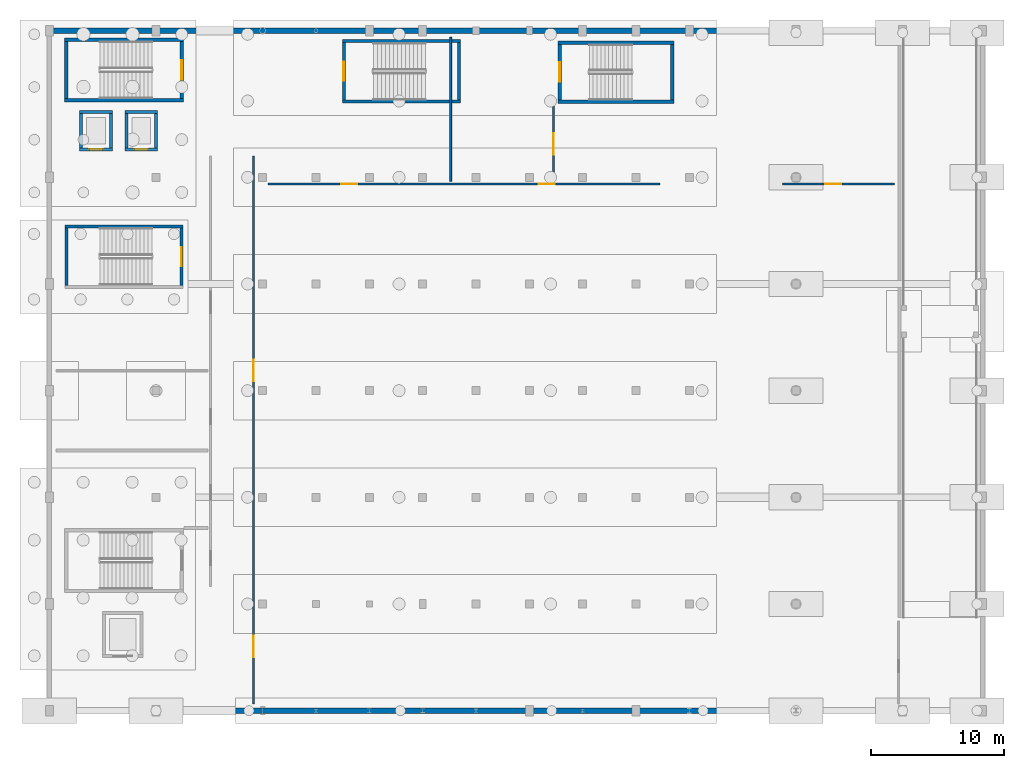
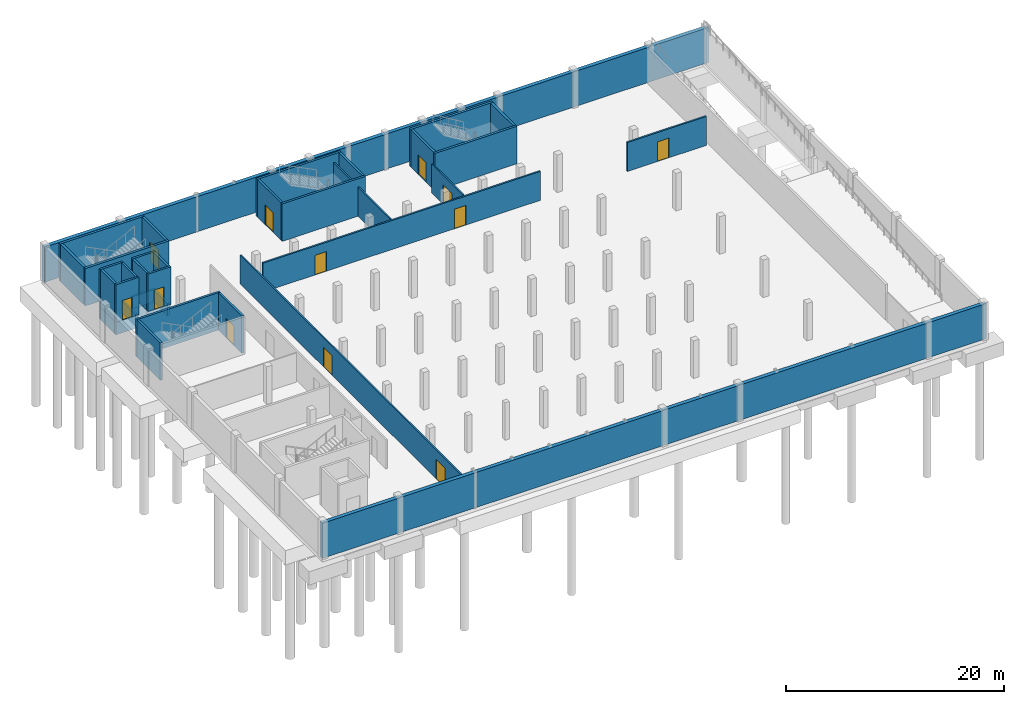
# One storey, part 8 of 15: 38 walls, 12 doors, 12 openings.
"""IFC4 building model written with IfcOpenShell, lengths in metres."""

from ifc_helpers import new_model, si_unit, derived_unit, direction, frame, frame_2d, origin, place, context, subcontext, project, spatial, rectangle, extrude, material, layer, layer_set, type_object, element, fill, save


model = new_model("IFC4")

# Units and contexts
model_context = context("Model", 3, precision=1e-05, world=origin(), true_north=direction((0.0, 1.0)))
body_context = subcontext(model_context, "Body", "Model", "MODEL_VIEW")
ifc_project = project(units=[si_unit("LENGTHUNIT", "METRE"), si_unit("AREAUNIT", "SQUARE_METRE"), si_unit("VOLUMEUNIT", "CUBIC_METRE"), si_unit("PLANEANGLEUNIT", "RADIAN"), si_unit("MASSUNIT", "GRAM", prefix="KILO"), derived_unit("THERMALTRANSMITTANCEUNIT", [(si_unit("POWERUNIT", "WATT"), 1), (si_unit("LENGTHUNIT", "METRE"), -2), (si_unit("THERMODYNAMICTEMPERATUREUNIT", "KELVIN"), -1)])], contexts=[model_context])

# Site, building, storey
site_placement = place(None, origin())
site = spatial("IfcSite", under=ifc_project, at=site_placement, CompositionType="ELEMENT")
building_placement = place(site_placement, origin())
building = spatial("IfcBuilding", under=site, at=building_placement, Name="Keldorne Ridge Multi-Sports Centre", CompositionType="ELEMENT")
storey_placement = place(building_placement, frame((0.0, 0.0, -4.199951171875)))
storey = spatial("IfcBuildingStorey", under=building, at=storey_placement, Name="B01", CompositionType="ELEMENT", Elevation=-4.199951171875)

# Wall, openings, doors
ifc_material_1 = material(Name="Fire-rated twin stud plasterboard")
ifc_layer_1 = layer(ifc_material_1, 0.14990234375)
ifc_layer_set_1 = layer_set([ifc_layer_1])
wall_type_1 = type_object("IfcWallType", Name="WAL-PT-02", PredefinedType="PARTITIONING", material=ifc_layer_set_1)
wall_1_placement = place(storey_placement, frame((119.300048828125, 66.5, 0.0), z_axis=(0.0, 0.0, 1.0), x_axis=(0.0, 1.0, 0.0)))
wall_1 = element("IfcWall", 1, at=wall_1_placement, inside=storey, type_object=wall_type_1, Name="Basement commuter-parking fire wall IW-B01-001", PredefinedType="PARTITIONING", context=body_context, shape_type="SweptSolid", body=[
    extrude(rectangle(XDim=41.10009765625, YDim=0.14990234375, at=frame_2d((20.550048828125, 0.0))), origin(), (0.0, 0.0, 1.0), 3.25),
])
opening_1_placement = place(wall_1_placement, frame((3.5, 0.0, 0.0)))
opening_1 = element("IfcOpeningElement", 2, at=opening_1_placement, cuts=wall_1, Name="Opening D-04", PredefinedType="OPENING", context=body_context, shape_type="SweptSolid", body=[
    extrude(rectangle(XDim=1.60009765625, YDim=2.199951171875, at=frame_2d((0.800048828125, 1.10009765625))), frame((0.0, 0.0849609375, 0.0), z_axis=(0.0, -1.0, 0.0), x_axis=(1.0, 0.0, 0.0)), (0.0, 0.0, 1.0), 0.169921875),
])
opening_2_placement = place(wall_1_placement, frame((24.199951171875, 0.0, 0.0)))
opening_2 = element("IfcOpeningElement", 3, at=opening_2_placement, cuts=wall_1, Name="Opening D-04", PredefinedType="OPENING", context=body_context, shape_type="SweptSolid", body=[
    extrude(rectangle(XDim=1.60009765625, YDim=2.199951171875, at=frame_2d((0.800048828125, 1.10009765625))), frame((0.0, 0.0849609375, 0.0), z_axis=(0.0, -1.0, 0.0), x_axis=(1.0, 0.0, 0.0)), (0.0, 0.0, 1.0), 0.169921875),
])
ifc_material_2 = material(Name="Timber fire-resisting pair", Category="wood")
door_type_1 = type_object("IfcDoorType", Name="DR-D-04", OperationType="NOTDEFINED", PredefinedType="DOOR", material=ifc_material_2)
door_1_placement = place(opening_1_placement, origin())
door_1 = element("IfcDoor", 4, at=door_1_placement, inside=storey, type_object=door_type_1, Name="Core C2 car park lobby fire door D-051", OperationType="DOUBLE_DOOR_SINGLE_SWING", OverallHeight=2.199951171875, OverallWidth=1.60009765625, PredefinedType="DOOR", context=body_context, shape_type="SweptSolid", body=[
    extrude(rectangle(XDim=1.60009765625, YDim=2.199951171875, at=frame_2d((0.800048828125, 1.10009765625))), frame((0.0, 0.02490234375, 0.0), z_axis=(0.0, -1.0, 0.0), x_axis=(1.0, 0.0, 0.0)), (0.0, 0.0, 1.0), 0.050048828125),
])
fill(opening_1, door_1)
door_2_placement = place(opening_2_placement, origin())
door_2 = element("IfcDoor", 5, at=door_2_placement, inside=storey, type_object=door_type_1, Name="Commuter corridor car park fire door D-052", OperationType="DOUBLE_DOOR_SINGLE_SWING", OverallHeight=2.199951171875, OverallWidth=1.60009765625, PredefinedType="DOOR", context=body_context, shape_type="SweptSolid", body=[
    extrude(rectangle(XDim=1.60009765625, YDim=2.199951171875, at=frame_2d((0.800048828125, 1.10009765625))), frame((0.0, 0.02490234375, 0.0), z_axis=(0.0, -1.0, 0.0), x_axis=(1.0, 0.0, 0.0)), (0.0, 0.0, 1.0), 0.050048828125),
])
fill(opening_2, door_2)

# Wall
wall_2_placement = place(storey_placement, frame((134.10009765625, 105.699951171875, 0.0), z_axis=(0.0, 0.0, 1.0), x_axis=(0.0, 1.0, 0.0)))
element("IfcWall", 6, at=wall_2_placement, inside=storey, type_object=wall_type_1, Name="Substation divider IW-B01-008", PredefinedType="PARTITIONING", context=body_context, shape_type="SweptSolid", body=[
    extrude(rectangle(XDim=10.800048828125, YDim=0.14990234375, at=frame_2d((5.39990234375, 0.0))), origin(), (0.0, 0.0, 1.0), 3.25),
])

# Wall, opening, door
wall_3_placement = place(storey_placement, frame((141.800048828125, 105.699951171875, 0.0), z_axis=(0.0, 0.0, 1.0), x_axis=(0.0, 1.0, 0.0)))
wall_3 = element("IfcWall", 7, at=wall_3_placement, inside=storey, type_object=wall_type_1, Name="Core C3 fire lobby west wall IW-B01-009", PredefinedType="PARTITIONING", context=body_context, shape_type="SweptSolid", body=[
    extrude(rectangle(XDim=5.699951171875, YDim=0.14990234375, at=frame_2d((2.85009765625, 0.0))), origin(), (0.0, 0.0, 1.0), 3.25),
])
opening_3_placement = place(wall_3_placement, frame((2.0, 0.0, 0.0)))
opening_3 = element("IfcOpeningElement", 8, at=opening_3_placement, cuts=wall_3, Name="Opening D-04", PredefinedType="OPENING", context=body_context, shape_type="SweptSolid", body=[
    extrude(rectangle(XDim=1.60009765625, YDim=2.199951171875, at=frame_2d((0.800048828125, 1.10009765625))), frame((0.0, 0.0849609375, 0.0), z_axis=(0.0, -1.0, 0.0), x_axis=(1.0, 0.0, 0.0)), (0.0, 0.0, 1.0), 0.169921875),
])
door_3_placement = place(opening_3_placement, origin())
door_3 = element("IfcDoor", 9, at=door_3_placement, inside=storey, type_object=door_type_1, Name="Core C3 fire lobby door D-060", OperationType="DOUBLE_DOOR_SINGLE_SWING", OverallHeight=2.199951171875, OverallWidth=1.60009765625, PredefinedType="DOOR", context=body_context, shape_type="SweptSolid", body=[
    extrude(rectangle(XDim=1.60009765625, YDim=2.199951171875, at=frame_2d((0.800048828125, 1.10009765625))), frame((0.0, 0.02490234375, 0.0), z_axis=(0.0, -1.0, 0.0), x_axis=(1.0, 0.0, 0.0)), (0.0, 0.0, 1.0), 0.050048828125),
])
fill(opening_3, door_3)

# Wall, openings, doors
ifc_material_3 = material(Name="Concrete blockwork C25/30", Category="masonry")
ifc_layer_2 = layer(ifc_material_3, 0.179931640625)
ifc_layer_set_2 = layer_set([ifc_layer_2])
wall_type_2 = type_object("IfcWallType", Name="WAL-PT-05", PredefinedType="PARTITIONING", material=ifc_layer_set_2)
wall_4_placement = place(storey_placement, frame((120.39990234375, 105.5, 0.0), z_axis=(0.0, 0.0, 1.0), x_axis=(1.0, 0.0, 0.0)))
wall_4 = element("IfcWall", 10, at=wall_4_placement, inside=storey, type_object=wall_type_2, Name="Basement north plant compartment wall IW-B01-006", PredefinedType="PARTITIONING", context=body_context, shape_type="SweptSolid", body=[
    extrude(rectangle(XDim=29.400146484375, YDim=0.179931640625, at=frame_2d((14.7001953125, 0.0))), origin(), (0.0, 0.0, 1.0), 3.25),
])
opening_4_placement = place(wall_4_placement, frame((5.5, 0.0, 0.0)))
opening_4 = element("IfcOpeningElement", 11, at=opening_4_placement, cuts=wall_4, Name="Opening D-07", PredefinedType="OPENING", context=body_context, shape_type="SweptSolid", body=[
    extrude(rectangle(XDim=1.199951171875, YDim=2.199951171875, at=frame_2d((0.60009765625, 1.10009765625))), frame((0.0, 0.10009765625, 0.0), z_axis=(0.0, -1.0, 0.0), x_axis=(1.0, 0.0, 0.0)), (0.0, 0.0, 1.0), 0.199951171875),
])
opening_5_placement = place(wall_4_placement, frame((20.300048828125, 0.0, 0.0)))
opening_5 = element("IfcOpeningElement", 12, at=opening_5_placement, cuts=wall_4, Name="Opening D-07", PredefinedType="OPENING", context=body_context, shape_type="SweptSolid", body=[
    extrude(rectangle(XDim=1.199951171875, YDim=2.199951171875, at=frame_2d((0.60009765625, 1.10009765625))), frame((0.0, 0.10009765625, 0.0), z_axis=(0.0, -1.0, 0.0), x_axis=(1.0, 0.0, 0.0)), (0.0, 0.0, 1.0), 0.199951171875),
])
ifc_material_4 = material(Name="Galvanized steel", Category="steel")
door_type_2 = type_object("IfcDoorType", Name="DR-D-07", OperationType="NOTDEFINED", PredefinedType="DOOR", material=ifc_material_4)
door_4_placement = place(opening_4_placement, origin())
door_4 = element("IfcDoor", 13, at=door_4_placement, inside=storey, type_object=door_type_2, Name="HVAC heat pump plant fire door D-057", OperationType="SINGLE_SWING_LEFT", OverallHeight=2.199951171875, OverallWidth=1.199951171875, PredefinedType="DOOR", context=body_context, shape_type="SweptSolid", body=[
    extrude(rectangle(XDim=1.199951171875, YDim=2.199951171875, at=frame_2d((0.60009765625, 1.10009765625))), frame((0.0, 0.02490234375, 0.0), z_axis=(0.0, -1.0, 0.0), x_axis=(1.0, 0.0, 0.0)), (0.0, 0.0, 1.0), 0.050048828125),
])
fill(opening_4, door_4)
door_5_placement = place(opening_5_placement, origin())
door_5 = element("IfcDoor", 14, at=door_5_placement, inside=storey, type_object=door_type_2, Name="Substation plant fire door D-058", OperationType="SINGLE_SWING_RIGHT", OverallHeight=2.199951171875, OverallWidth=1.199951171875, PredefinedType="DOOR", context=body_context, shape_type="SweptSolid", body=[
    extrude(rectangle(XDim=1.199951171875, YDim=2.199951171875, at=frame_2d((0.60009765625, 1.10009765625))), frame((0.0, 0.02490234375, 0.0), z_axis=(0.0, -1.0, 0.0), x_axis=(1.0, 0.0, 0.0)), (0.0, 0.0, 1.0), 0.050048828125),
])
fill(opening_5, door_5)

# Wall, opening, door
wall_5_placement = place(storey_placement, frame((159.0, 105.5, 0.0), z_axis=(0.0, 0.0, 1.0), x_axis=(1.0, 0.0, 0.0)))
wall_5 = element("IfcWall", 15, at=wall_5_placement, inside=storey, type_object=wall_type_2, Name="Basement cistern wall IW-B01-007", PredefinedType="PARTITIONING", context=body_context, shape_type="SweptSolid", body=[
    extrude(rectangle(XDim=8.39990234375, YDim=0.179931640625, at=frame_2d((4.199951171875, 0.0))), origin(), (0.0, 0.0, 1.0), 3.25),
])
opening_6_placement = place(wall_5_placement, frame((3.199951171875, 0.0, 0.0)))
opening_6 = element("IfcOpeningElement", 16, at=opening_6_placement, cuts=wall_5, Name="Opening D-07", PredefinedType="OPENING", context=body_context, shape_type="SweptSolid", body=[
    extrude(rectangle(XDim=1.199951171875, YDim=2.199951171875, at=frame_2d((0.60009765625, 1.10009765625))), frame((0.0, 0.10009765625, 0.0), z_axis=(0.0, -1.0, 0.0), x_axis=(1.0, 0.0, 0.0)), (0.0, 0.0, 1.0), 0.199951171875),
])
door_6_placement = place(opening_6_placement, origin())
door_6 = element("IfcDoor", 17, at=door_6_placement, inside=storey, type_object=door_type_2, Name="Stormwater cistern plant door D-059", OperationType="SINGLE_SWING_LEFT", OverallHeight=2.199951171875, OverallWidth=1.199951171875, PredefinedType="DOOR", context=body_context, shape_type="SweptSolid", body=[
    extrude(rectangle(XDim=1.199951171875, YDim=2.199951171875, at=frame_2d((0.60009765625, 1.10009765625))), frame((0.0, 0.02490234375, 0.0), z_axis=(0.0, -1.0, 0.0), x_axis=(1.0, 0.0, 0.0)), (0.0, 0.0, 1.0), 0.050048828125),
])
fill(opening_6, door_6)

# Walls
ifc_material_5 = material(Name="Concrete C40/50", Category="concrete")
ifc_layer_3 = layer(ifc_material_5, 0.39990234375)
ifc_layer_set_3 = layer_set([ifc_layer_3], Name="Concrete C40/50")
wall_type_3 = type_object("IfcWallType", Name="WAL-RW01", PredefinedType="SOLIDWALL", material=ifc_layer_set_3)
for number, where, z_axis, x_axis, name in (
    (18, (103.800048828125, 66.0, 0.0), (0.0, 0.0, 1.0), (1.0, 0.0, 0.0), "Basement waterproof retaining wall RW-S"),
    (19, (174.199951171875, 117.0, 0.0), (0.0, 0.0, 1.0), (-1.0, 0.0, 0.0), "Basement waterproof retaining wall RW-N"),
):
    element("IfcWall", number, at=place(storey_placement, frame(where, z_axis=z_axis, x_axis=x_axis)), inside=storey, type_object=wall_type_3, Name=name, PredefinedType="SOLIDWALL", context=body_context, shape_type="SweptSolid", body=[
        extrude(rectangle(XDim=70.39990234375, YDim=0.39990234375, at=frame_2d((35.199951171875, 0.0))), origin(), (0.0, 0.0, 1.0), 3.929931640625),
    ])

# Wall, opening, door
ifc_layer_4 = layer(ifc_material_5, 0.25)
ifc_layer_set_4 = layer_set([ifc_layer_4], Name="Concrete C40/50")
wall_type_4 = type_object("IfcWallType", Name="WAL-SW01", PredefinedType="SHEAR", material=ifc_layer_set_4)
wall_6_placement = place(storey_placement, frame((113.925048828125, 111.89990234375, 0.0), z_axis=(0.0, 0.0, 1.0), x_axis=(0.0, 1.0, 0.0)))
wall_6 = element("IfcWall", 20, at=wall_6_placement, inside=storey, type_object=wall_type_4, Name="Stair ST-01 shaft wall B01 NEAR", PredefinedType="SHEAR", context=body_context, shape_type="SweptSolid", body=[
    extrude(rectangle(XDim=4.300048828125, YDim=0.25, at=frame_2d((2.14990234375, 0.0))), origin(), (0.0, 0.0, 1.0), 4.199951171875),
])
opening_7_placement = place(wall_6_placement, frame((1.425048828125, 0.0, 0.0)))
opening_7 = element("IfcOpeningElement", 21, at=opening_7_placement, cuts=wall_6, Name="Opening D-05", PredefinedType="OPENING", context=body_context, shape_type="SweptSolid", body=[
    extrude(rectangle(XDim=1.449951171875, YDim=2.199951171875, at=frame_2d((0.72509765625, 1.10009765625))), frame((0.0, 0.135009765625, 0.0), z_axis=(0.0, -1.0, 0.0), x_axis=(1.0, 0.0, 0.0)), (0.0, 0.0, 1.0), 0.27001953125),
])
ifc_material_6 = material(Name="Steel fire-resisting pair", Category="steel")
door_type_3 = type_object("IfcDoorType", Name="DR-D-05", OperationType="NOTDEFINED", PredefinedType="DOOR", material=ifc_material_6)
door_7_placement = place(opening_7_placement, origin())
door_7 = element("IfcDoor", 22, at=door_7_placement, inside=storey, type_object=door_type_3, Name="Stair ST-01 B01 fire door D-001", OperationType="DOUBLE_DOOR_SINGLE_SWING", OverallHeight=2.199951171875, OverallWidth=1.449951171875, PredefinedType="DOOR", context=body_context, shape_type="SweptSolid", body=[
    extrude(rectangle(XDim=1.449951171875, YDim=2.199951171875, at=frame_2d((0.72509765625, 1.10009765625))), frame((0.0, 0.02490234375, 0.0), z_axis=(0.0, -1.0, 0.0), x_axis=(1.0, 0.0, 0.0)), (0.0, 0.0, 1.0), 0.050048828125),
])
fill(opening_7, door_7)

# Walls
wall_7_placement = place(storey_placement, frame((105.27490234375, 116.199951171875, 0.0), z_axis=(0.0, 0.0, 1.0), x_axis=(0.0, -1.0, 0.0)))
element("IfcWall", 23, at=wall_7_placement, inside=storey, type_object=wall_type_4, Name="Stair ST-01 shaft wall B01 FAR", PredefinedType="SHEAR", context=body_context, shape_type="SweptSolid", body=[
    extrude(rectangle(XDim=4.300048828125, YDim=0.25, at=frame_2d((2.14990234375, 0.0))), origin(), (0.0, 0.0, 1.0), 4.199951171875),
])
for number, where, z_axis, x_axis, name in (
    (24, (105.14990234375, 111.77490234375, 0.0), (0.0, 0.0, 1.0), (1.0, 0.0, 0.0), "Stair ST-01 shaft wall B01 SOUTH"),
    (25, (114.050048828125, 116.324951171875, 0.0), (0.0, 0.0, 1.0), (-1.0, 0.0, 0.0), "Stair ST-01 shaft wall B01 NORTH"),
):
    element("IfcWall", number, at=place(storey_placement, frame(where, z_axis=z_axis, x_axis=x_axis)), inside=storey, type_object=wall_type_4, Name=name, PredefinedType="SHEAR", context=body_context, shape_type="SweptSolid", body=[
        extrude(rectangle(XDim=8.900146484375, YDim=0.25, at=frame_2d((4.4501953125, 0.0))), origin(), (0.0, 0.0, 1.0), 4.199951171875),
    ])

# Wall, opening, door
wall_8_placement = place(storey_placement, frame((142.27490234375, 111.800048828125, 0.0), z_axis=(0.0, 0.0, 1.0), x_axis=(0.0, 1.0, 0.0)))
wall_8 = element("IfcWall", 26, at=wall_8_placement, inside=storey, type_object=wall_type_4, Name="Stair ST-03 shaft wall B01 NEAR", PredefinedType="SHEAR", context=body_context, shape_type="SweptSolid", body=[
    extrude(rectangle(XDim=4.179931640625, YDim=0.25, at=frame_2d((2.08984375, 0.0))), origin(), (0.0, 0.0, 1.0), 4.199951171875),
])
opening_8_placement = place(wall_8_placement, frame((1.364990234375, 0.0, 0.0)))
opening_8 = element("IfcOpeningElement", 27, at=opening_8_placement, cuts=wall_8, Name="Opening D-05", PredefinedType="OPENING", context=body_context, shape_type="SweptSolid", body=[
    extrude(rectangle(XDim=1.449951171875, YDim=2.199951171875, at=frame_2d((0.72509765625, 1.10009765625))), frame((0.0, 0.135009765625, 0.0), z_axis=(0.0, -1.0, 0.0), x_axis=(1.0, 0.0, 0.0)), (0.0, 0.0, 1.0), 0.27001953125),
])
door_8_placement = place(opening_8_placement, origin())
door_8 = element("IfcDoor", 28, at=door_8_placement, inside=storey, type_object=door_type_3, Name="Stair ST-03 B01 fire door D-014", OperationType="DOUBLE_DOOR_SINGLE_SWING", OverallHeight=2.199951171875, OverallWidth=1.449951171875, PredefinedType="DOOR", context=body_context, shape_type="SweptSolid", body=[
    extrude(rectangle(XDim=1.449951171875, YDim=2.199951171875, at=frame_2d((0.72509765625, 1.10009765625))), frame((0.0, 0.02490234375, 0.0), z_axis=(0.0, -1.0, 0.0), x_axis=(1.0, 0.0, 0.0)), (0.0, 0.0, 1.0), 0.050048828125),
])
fill(opening_8, door_8)

# Walls
wall_9_placement = place(storey_placement, frame((150.72509765625, 115.97998046875, 0.0), z_axis=(0.0, 0.0, 1.0), x_axis=(0.0, -1.0, 0.0)))
element("IfcWall", 29, at=wall_9_placement, inside=storey, type_object=wall_type_4, Name="Stair ST-03 shaft wall B01 FAR", PredefinedType="SHEAR", context=body_context, shape_type="SweptSolid", body=[
    extrude(rectangle(XDim=4.179931640625, YDim=0.25, at=frame_2d((2.08984375, 0.0))), origin(), (0.0, 0.0, 1.0), 4.199951171875),
])
for number, where, z_axis, x_axis, name in (
    (30, (142.14990234375, 111.675048828125, 0.0), (0.0, 0.0, 1.0), (1.0, 0.0, 0.0), "Stair ST-03 shaft wall B01 SOUTH"),
    (31, (150.85009765625, 116.10498046875, 0.0), (0.0, 0.0, 1.0), (-1.0, 0.0, 0.0), "Stair ST-03 shaft wall B01 NORTH"),
):
    element("IfcWall", number, at=place(storey_placement, frame(where, z_axis=z_axis, x_axis=x_axis)), inside=storey, type_object=wall_type_4, Name=name, PredefinedType="SHEAR", context=body_context, shape_type="SweptSolid", body=[
        extrude(rectangle(XDim=8.7001953125, YDim=0.25, at=frame_2d((4.35009765625, 0.0))), origin(), (0.0, 0.0, 1.0), 4.199951171875),
    ])
ifc_layer_5 = layer(ifc_material_5, 0.22998046875)
ifc_layer_set_5 = layer_set([ifc_layer_5], Name="Concrete C40/50")
wall_type_5 = type_object("IfcWallType", Name="WAL-SW02", PredefinedType="SHEAR", material=ifc_layer_set_5)
for number, where, z_axis, x_axis, name in (
    (32, (106.280029296875, 108.090087890625, -1.400146484375), (0.0, 0.0, 1.0), (1.0, 0.0, 0.0), "Lift L-01 pit wall S"),
    (33, (108.719970703125, 110.909912109375, -1.400146484375), (0.0, 0.0, 1.0), (-1.0, 0.0, 0.0), "Lift L-01 pit wall N"),
):
    element("IfcWall", number, at=place(storey_placement, frame(where, z_axis=z_axis, x_axis=x_axis)), inside=storey, type_object=wall_type_5, Name=name, PredefinedType="SHEAR", context=body_context, shape_type="SweptSolid", body=[
        extrude(rectangle(XDim=2.43994140625, YDim=0.219970703125, at=frame_2d((1.219970703125, 0.0))), origin(), (0.0, 0.0, 1.0), 1.400146484375),
    ])
for number, where, z_axis, x_axis, name in (
    (34, (106.389892578125, 110.800048828125, -1.400146484375), (0.0, 0.0, 1.0), (0.0, -1.0, 0.0), "Lift L-01 pit wall W"),
    (35, (108.610107421875, 108.199951171875, -1.400146484375), (0.0, 0.0, 1.0), (0.0, 1.0, 0.0), "Lift L-01 pit wall E"),
):
    element("IfcWall", number, at=place(storey_placement, frame(where, z_axis=z_axis, x_axis=x_axis)), inside=storey, type_object=wall_type_5, Name=name, PredefinedType="SHEAR", context=body_context, shape_type="SweptSolid", body=[
        extrude(rectangle(XDim=2.60009765625, YDim=0.219970703125, at=frame_2d((1.300048828125, 0.0))), origin(), (0.0, 0.0, 1.0), 1.400146484375),
    ])

# Wall, opening, door
wall_10_placement = place(storey_placement, frame((106.280029296875, 108.090087890625, 0.0), z_axis=(0.0, 0.0, 1.0), x_axis=(1.0, 0.0, 0.0)))
wall_10 = element("IfcWall", 36, at=wall_10_placement, inside=storey, type_object=wall_type_5, Name="Lift L-01 shaft wall B01 south", PredefinedType="SHEAR", context=body_context, shape_type="SweptSolid", body=[
    extrude(rectangle(XDim=2.43994140625, YDim=0.219970703125, at=frame_2d((1.219970703125, 0.0))), origin(), (0.0, 0.0, 1.0), 4.199951171875),
])
opening_9_placement = place(wall_10_placement, frame((0.719970703125, 0.0, 0.0)))
opening_9 = element("IfcOpeningElement", 37, at=opening_9_placement, cuts=wall_10, Name="Opening LD-01", PredefinedType="OPENING", context=body_context, shape_type="SweptSolid", body=[
    extrude(rectangle(XDim=1.0, YDim=2.199951171875, at=frame_2d((0.5, 1.10009765625))), frame((0.0, 0.1201171875, 0.0), z_axis=(0.0, -1.0, 0.0), x_axis=(1.0, 0.0, 0.0)), (0.0, 0.0, 1.0), 0.239990234375),
])
ifc_material_7 = material(Name="Stainless steel", Category="steel")
door_type_4 = type_object("IfcDoorType", Name="DR-LD-01", OperationType="NOTDEFINED", PredefinedType="DOOR", material=ifc_material_7)
door_9_placement = place(opening_9_placement, origin())
door_9 = element("IfcDoor", 38, at=door_9_placement, inside=storey, type_object=door_type_4, Name="Lift L-01 sliding landing door B01", OperationType="SLIDING_TO_LEFT", OverallHeight=2.199951171875, OverallWidth=1.0, PredefinedType="DOOR", context=body_context, shape_type="SweptSolid", body=[
    extrude(rectangle(XDim=1.0, YDim=2.199951171875, at=frame_2d((0.5, 1.10009765625))), frame((0.0, 0.02490234375, 0.0), z_axis=(0.0, -1.0, 0.0), x_axis=(1.0, 0.0, 0.0)), (0.0, 0.0, 1.0), 0.050048828125),
])
fill(opening_9, door_9)

# Walls
wall_11_placement = place(storey_placement, frame((108.719970703125, 110.909912109375, 0.0), z_axis=(0.0, 0.0, 1.0), x_axis=(-1.0, 0.0, 0.0)))
element("IfcWall", 39, at=wall_11_placement, inside=storey, type_object=wall_type_5, Name="Lift L-01 shaft wall B01 north", PredefinedType="SHEAR", context=body_context, shape_type="SweptSolid", body=[
    extrude(rectangle(XDim=2.43994140625, YDim=0.219970703125, at=frame_2d((1.219970703125, 0.0))), origin(), (0.0, 0.0, 1.0), 4.199951171875),
])
for number, where, z_axis, x_axis, name in (
    (40, (106.389892578125, 110.800048828125, 0.0), (0.0, 0.0, 1.0), (0.0, -1.0, 0.0), "Lift L-01 shaft wall B01 west"),
    (41, (108.610107421875, 108.199951171875, 0.0), (0.0, 0.0, 1.0), (0.0, 1.0, 0.0), "Lift L-01 shaft wall B01 east"),
):
    element("IfcWall", number, at=place(storey_placement, frame(where, z_axis=z_axis, x_axis=x_axis)), inside=storey, type_object=wall_type_5, Name=name, PredefinedType="SHEAR", context=body_context, shape_type="SweptSolid", body=[
        extrude(rectangle(XDim=2.60009765625, YDim=0.219970703125, at=frame_2d((1.300048828125, 0.0))), origin(), (0.0, 0.0, 1.0), 4.199951171875),
    ])
for number, where, z_axis, x_axis, name in (
    (42, (109.679931640625, 108.090087890625, -1.400146484375), (0.0, 0.0, 1.0), (1.0, 0.0, 0.0), "Lift L-02 pit wall S"),
    (43, (112.1201171875, 110.909912109375, -1.400146484375), (0.0, 0.0, 1.0), (-1.0, 0.0, 0.0), "Lift L-02 pit wall N"),
):
    element("IfcWall", number, at=place(storey_placement, frame(where, z_axis=z_axis, x_axis=x_axis)), inside=storey, type_object=wall_type_5, Name=name, PredefinedType="SHEAR", context=body_context, shape_type="SweptSolid", body=[
        extrude(rectangle(XDim=2.440185546875, YDim=0.219970703125, at=frame_2d((1.22021484375, 0.0))), origin(), (0.0, 0.0, 1.0), 1.400146484375),
    ])
for number, where, z_axis, x_axis, name in (
    (44, (109.7900390625, 110.800048828125, -1.400146484375), (0.0, 0.0, 1.0), (0.0, -1.0, 0.0), "Lift L-02 pit wall W"),
    (45, (112.010009765625, 108.199951171875, -1.400146484375), (0.0, 0.0, 1.0), (0.0, 1.0, 0.0), "Lift L-02 pit wall E"),
):
    element("IfcWall", number, at=place(storey_placement, frame(where, z_axis=z_axis, x_axis=x_axis)), inside=storey, type_object=wall_type_5, Name=name, PredefinedType="SHEAR", context=body_context, shape_type="SweptSolid", body=[
        extrude(rectangle(XDim=2.60009765625, YDim=0.219970703125, at=frame_2d((1.300048828125, 0.0))), origin(), (0.0, 0.0, 1.0), 1.400146484375),
    ])

# Wall, opening, door
wall_12_placement = place(storey_placement, frame((109.679931640625, 108.090087890625, 0.0), z_axis=(0.0, 0.0, 1.0), x_axis=(1.0, 0.0, 0.0)))
wall_12 = element("IfcWall", 46, at=wall_12_placement, inside=storey, type_object=wall_type_5, Name="Lift L-02 shaft wall B01 south", PredefinedType="SHEAR", context=body_context, shape_type="SweptSolid", body=[
    extrude(rectangle(XDim=2.440185546875, YDim=0.219970703125, at=frame_2d((1.22021484375, 0.0))), origin(), (0.0, 0.0, 1.0), 4.199951171875),
])
opening_10_placement = place(wall_12_placement, frame((0.719970703125, 0.0, 0.0)))
opening_10 = element("IfcOpeningElement", 47, at=opening_10_placement, cuts=wall_12, Name="Opening LD-01", PredefinedType="OPENING", context=body_context, shape_type="SweptSolid", body=[
    extrude(rectangle(XDim=1.0, YDim=2.199951171875, at=frame_2d((0.5, 1.10009765625))), frame((0.0, 0.1201171875, 0.0), z_axis=(0.0, -1.0, 0.0), x_axis=(1.0, 0.0, 0.0)), (0.0, 0.0, 1.0), 0.239990234375),
])
door_10_placement = place(opening_10_placement, origin())
door_10 = element("IfcDoor", 48, at=door_10_placement, inside=storey, type_object=door_type_4, Name="Lift L-02 sliding landing door B01", OperationType="SLIDING_TO_LEFT", OverallHeight=2.199951171875, OverallWidth=1.0, PredefinedType="DOOR", context=body_context, shape_type="SweptSolid", body=[
    extrude(rectangle(XDim=1.0, YDim=2.199951171875, at=frame_2d((0.5, 1.10009765625))), frame((0.0, 0.02490234375, 0.0), z_axis=(0.0, -1.0, 0.0), x_axis=(1.0, 0.0, 0.0)), (0.0, 0.0, 1.0), 0.050048828125),
])
fill(opening_10, door_10)

# Walls
wall_13_placement = place(storey_placement, frame((112.1201171875, 110.909912109375, 0.0), z_axis=(0.0, 0.0, 1.0), x_axis=(-1.0, 0.0, 0.0)))
element("IfcWall", 49, at=wall_13_placement, inside=storey, type_object=wall_type_5, Name="Lift L-02 shaft wall B01 north", PredefinedType="SHEAR", context=body_context, shape_type="SweptSolid", body=[
    extrude(rectangle(XDim=2.440185546875, YDim=0.219970703125, at=frame_2d((1.22021484375, 0.0))), origin(), (0.0, 0.0, 1.0), 4.199951171875),
])
for number, where, z_axis, x_axis, name in (
    (50, (109.7900390625, 110.800048828125, 0.0), (0.0, 0.0, 1.0), (0.0, -1.0, 0.0), "Lift L-02 shaft wall B01 west"),
    (51, (112.010009765625, 108.199951171875, 0.0), (0.0, 0.0, 1.0), (0.0, 1.0, 0.0), "Lift L-02 shaft wall B01 east"),
):
    element("IfcWall", number, at=place(storey_placement, frame(where, z_axis=z_axis, x_axis=x_axis)), inside=storey, type_object=wall_type_5, Name=name, PredefinedType="SHEAR", context=body_context, shape_type="SweptSolid", body=[
        extrude(rectangle(XDim=2.60009765625, YDim=0.219970703125, at=frame_2d((1.300048828125, 0.0))), origin(), (0.0, 0.0, 1.0), 4.199951171875),
    ])

# Wall, opening, door
wall_14_placement = place(storey_placement, frame((126.0849609375, 111.800048828125, 0.0), z_axis=(0.0, 0.0, 1.0), x_axis=(0.0, 1.0, 0.0)))
wall_14 = element("IfcWall", 52, at=wall_14_placement, inside=storey, type_object=wall_type_5, Name="Stair ST-10 shaft wall B01 NEAR", PredefinedType="SHEAR", context=body_context, shape_type="SweptSolid", body=[
    extrude(rectangle(XDim=4.300048828125, YDim=0.22998046875, at=frame_2d((2.14990234375, 0.0))), origin(), (0.0, 0.0, 1.0), 4.199951171875),
])
opening_11_placement = place(wall_14_placement, frame((1.425048828125, 0.0, 0.0)))
opening_11 = element("IfcOpeningElement", 53, at=opening_11_placement, cuts=wall_14, Name="Opening D-05", PredefinedType="OPENING", context=body_context, shape_type="SweptSolid", body=[
    extrude(rectangle(XDim=1.449951171875, YDim=2.199951171875, at=frame_2d((0.72509765625, 1.10009765625))), frame((0.0, 0.125, 0.0), z_axis=(0.0, -1.0, 0.0), x_axis=(1.0, 0.0, 0.0)), (0.0, 0.0, 1.0), 0.25),
])
door_11_placement = place(opening_11_placement, origin())
door_11 = element("IfcDoor", 54, at=door_11_placement, inside=storey, type_object=door_type_3, Name="Stair ST-10 B01 fire door D-038", OperationType="DOUBLE_DOOR_SINGLE_SWING", OverallHeight=2.199951171875, OverallWidth=1.449951171875, PredefinedType="DOOR", context=body_context, shape_type="SweptSolid", body=[
    extrude(rectangle(XDim=1.449951171875, YDim=2.199951171875, at=frame_2d((0.72509765625, 1.10009765625))), frame((0.0, 0.02490234375, 0.0), z_axis=(0.0, -1.0, 0.0), x_axis=(1.0, 0.0, 0.0)), (0.0, 0.0, 1.0), 0.050048828125),
])
fill(opening_11, door_11)

# Walls
wall_15_placement = place(storey_placement, frame((134.715087890625, 116.10009765625, 0.0), z_axis=(0.0, 0.0, 1.0), x_axis=(0.0, -1.0, 0.0)))
element("IfcWall", 55, at=wall_15_placement, inside=storey, type_object=wall_type_5, Name="Stair ST-10 shaft wall B01 FAR", PredefinedType="SHEAR", context=body_context, shape_type="SweptSolid", body=[
    extrude(rectangle(XDim=4.300048828125, YDim=0.22998046875, at=frame_2d((2.14990234375, 0.0))), origin(), (0.0, 0.0, 1.0), 4.199951171875),
])
for number, where, z_axis, x_axis, name in (
    (56, (125.969970703125, 111.68505859375, 0.0), (0.0, 0.0, 1.0), (1.0, 0.0, 0.0), "Stair ST-10 shaft wall B01 SOUTH"),
    (57, (134.830078125, 116.215087890625, 0.0), (0.0, 0.0, 1.0), (-1.0, 0.0, 0.0), "Stair ST-10 shaft wall B01 NORTH"),
):
    element("IfcWall", number, at=place(storey_placement, frame(where, z_axis=z_axis, x_axis=x_axis)), inside=storey, type_object=wall_type_5, Name=name, PredefinedType="SHEAR", context=body_context, shape_type="SweptSolid", body=[
        extrude(rectangle(XDim=8.860107421875, YDim=0.22998046875, at=frame_2d((4.43017578125, 0.0))), origin(), (0.0, 0.0, 1.0), 4.199951171875),
    ])

# Wall, opening, door
wall_16_placement = place(storey_placement, frame((113.9150390625, 97.89990234375, 0.0), z_axis=(0.0, 0.0, 1.0), x_axis=(0.0, 1.0, 0.0)))
wall_16 = element("IfcWall", 58, at=wall_16_placement, inside=storey, type_object=wall_type_5, Name="Stair ST-11 shaft wall B01 NEAR", PredefinedType="SHEAR", context=body_context, shape_type="SweptSolid", body=[
    extrude(rectangle(XDim=4.300048828125, YDim=0.22998046875, at=frame_2d((2.14990234375, 0.0))), origin(), (0.0, 0.0, 1.0), 4.199951171875),
])
opening_12_placement = place(wall_16_placement, frame((1.425048828125, 0.0, 0.0)))
opening_12 = element("IfcOpeningElement", 59, at=opening_12_placement, cuts=wall_16, Name="Opening D-05", PredefinedType="OPENING", context=body_context, shape_type="SweptSolid", body=[
    extrude(rectangle(XDim=1.449951171875, YDim=2.199951171875, at=frame_2d((0.72509765625, 1.10009765625))), frame((0.0, 0.125, 0.0), z_axis=(0.0, -1.0, 0.0), x_axis=(1.0, 0.0, 0.0)), (0.0, 0.0, 1.0), 0.25),
])
door_12_placement = place(opening_12_placement, origin())
door_12 = element("IfcDoor", 60, at=door_12_placement, inside=storey, type_object=door_type_3, Name="Stair ST-11 B01 fire door D-045", OperationType="DOUBLE_DOOR_SINGLE_SWING", OverallHeight=2.199951171875, OverallWidth=1.449951171875, PredefinedType="DOOR", context=body_context, shape_type="SweptSolid", body=[
    extrude(rectangle(XDim=1.449951171875, YDim=2.199951171875, at=frame_2d((0.72509765625, 1.10009765625))), frame((0.0, 0.02490234375, 0.0), z_axis=(0.0, -1.0, 0.0), x_axis=(1.0, 0.0, 0.0)), (0.0, 0.0, 1.0), 0.050048828125),
])
fill(opening_12, door_12)

# Walls
wall_17_placement = place(storey_placement, frame((105.284912109375, 102.199951171875, 0.0), z_axis=(0.0, 0.0, 1.0), x_axis=(0.0, -1.0, 0.0)))
element("IfcWall", 61, at=wall_17_placement, inside=storey, type_object=wall_type_5, Name="Stair ST-11 shaft wall B01 FAR", PredefinedType="SHEAR", context=body_context, shape_type="SweptSolid", body=[
    extrude(rectangle(XDim=4.300048828125, YDim=0.22998046875, at=frame_2d((2.14990234375, 0.0))), origin(), (0.0, 0.0, 1.0), 4.199951171875),
])
wall_18_placement = place(storey_placement, frame((114.030029296875, 102.31494140625, 0.0), z_axis=(0.0, 0.0, 1.0), x_axis=(-1.0, 0.0, 0.0)))
element("IfcWall", 62, at=wall_18_placement, inside=storey, type_object=wall_type_5, Name="Stair ST-11 shaft wall B01 NORTH", PredefinedType="SHEAR", context=body_context, shape_type="SweptSolid", body=[
    extrude(rectangle(XDim=8.860107421875, YDim=0.22998046875, at=frame_2d((4.43017578125, 0.0))), origin(), (0.0, 0.0, 1.0), 4.199951171875),
])

save(model, "model.ifc")
